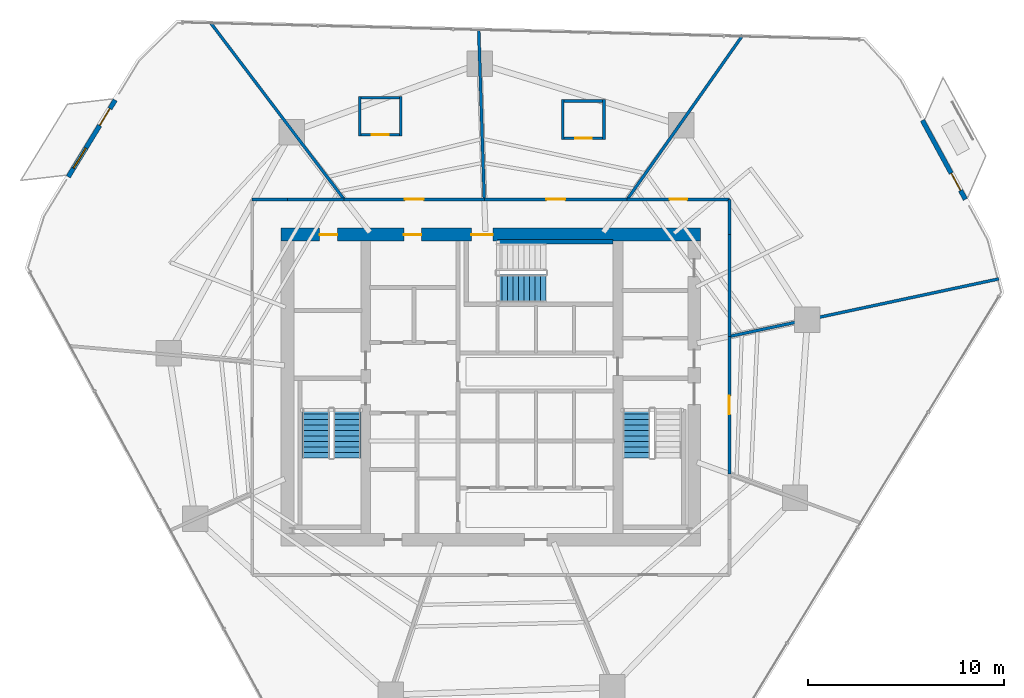
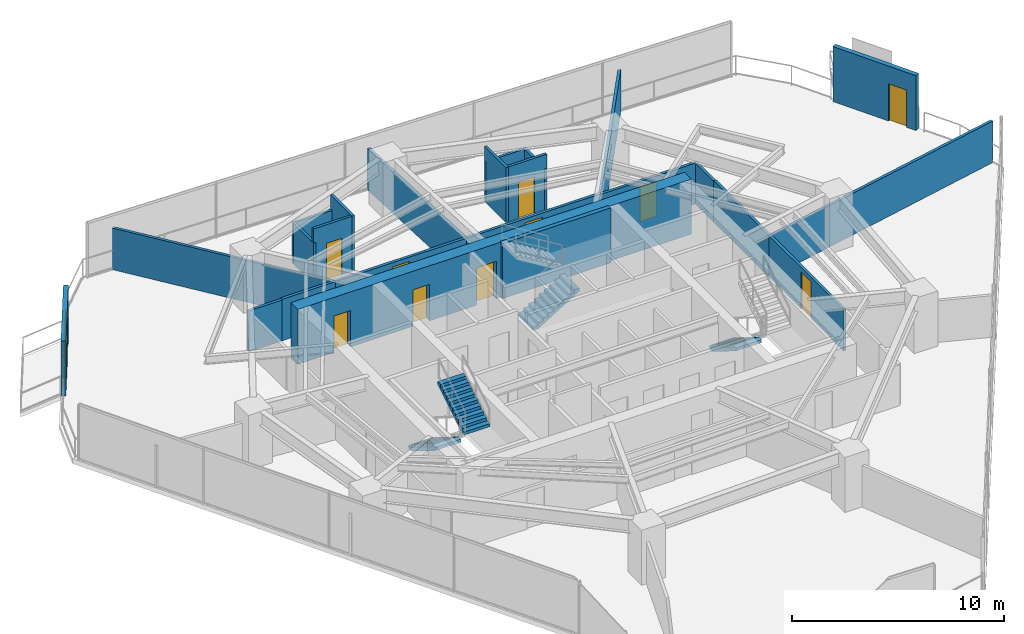
# One storey, part 25 of 30: 24 walls, 11 doors, 4 stair flights, 1 window, 12 openings, 3 elements without a shape of their own.
"""IFC4 building model written with IfcOpenShell, lengths in metres."""

from ifc_helpers import new_model, si_unit, direction, frame, frame_2d, origin, place, context, subcontext, project, spatial, polyline, rectangle, outline, extrude, material, layer, layer_set, type_object, element, fill, aggregate, save


model = new_model("IFC4")

# Units and contexts
model_context = context("Model", 3, precision=1e-05, world=origin(), true_north=direction((0.0, 1.0)))
body_context = subcontext(model_context, "Body", "Model", "MODEL_VIEW")
ifc_project = project(units=[si_unit("LENGTHUNIT", "METRE"), si_unit("AREAUNIT", "SQUARE_METRE"), si_unit("VOLUMEUNIT", "CUBIC_METRE"), si_unit("PLANEANGLEUNIT", "RADIAN"), si_unit("MASSUNIT", "GRAM", prefix="KILO")], contexts=[model_context])

# Site, building, storey
site_placement = place(None, origin())
site = spatial("IfcSite", under=ifc_project, at=site_placement, CompositionType="ELEMENT")
building_placement = place(site_placement, origin())
building = spatial("IfcBuilding", under=site, at=building_placement, Name="Qarnah Convention Tower", CompositionType="ELEMENT")
storey_placement = place(building_placement, frame((0.0, 0.0, 61.5)))
storey = spatial("IfcBuildingStorey", under=building, at=storey_placement, Name="L15", CompositionType="ELEMENT", Elevation=61.5)

# Wall, openings, doors
ifc_material_1 = material(Name="Concrete C60/75", Category="concrete")
ifc_layer_1 = layer(ifc_material_1, 0.64990234375)
ifc_layer_set_1 = layer_set([ifc_layer_1], Name="Concrete C60/75")
wall_type_1 = type_object("IfcWallType", Name="WL-CORE-650", PredefinedType="SHEAR", material=ifc_layer_set_1)
wall_1_placement = place(storey_placement, frame((26.47509765625, 34.199951171875, 0.0), z_axis=(0.0, 0.0, 1.0), x_axis=(1.0, 0.0, 0.0)))
wall_1 = element("IfcWall", 1, at=wall_1_placement, inside=storey, type_object=wall_type_1, Name="L15 core north shear wall", PredefinedType="SHEAR", context=body_context, shape_type="SweptSolid", body=[
    extrude(rectangle(XDim=21.449951171875, YDim=0.64990234375, at=frame_2d((10.72509765625, 0.0))), origin(), (0.0, 0.0, 1.0), 3.169921875),
])
opening_1_placement = place(wall_1_placement, frame((9.72509765625, 0.0, 0.0)))
opening_1 = element("IfcOpeningElement", 2, at=opening_1_placement, cuts=wall_1, Name="Opening D-1503", PredefinedType="OPENING", context=body_context, shape_type="SweptSolid", body=[
    extrude(rectangle(XDim=1.10009765625, YDim=2.14990234375, at=frame_2d((0.550048828125, 1.074951171875))), frame((0.0, 0.3349609375, 0.0), z_axis=(0.0, -1.0, 0.0), x_axis=(1.0, 0.0, 0.0)), (0.0, 0.0, 1.0), 0.669921875),
])
opening_2_placement = place(wall_1_placement, frame((1.97509765625, 0.0, 0.0)))
opening_2 = element("IfcOpeningElement", 3, at=opening_2_placement, cuts=wall_1, Name="Opening D-1509", PredefinedType="OPENING", context=body_context, shape_type="SweptSolid", body=[
    extrude(rectangle(XDim=0.89990234375, YDim=2.10009765625, at=frame_2d((0.449951171875, 1.050048828125))), frame((0.0, 0.3349609375, 0.0), z_axis=(0.0, -1.0, 0.0), x_axis=(1.0, 0.0, 0.0)), (0.0, 0.0, 1.0), 0.669921875),
])
opening_3_placement = place(wall_1_placement, frame((6.27490234375, 0.0, 0.0)))
opening_3 = element("IfcOpeningElement", 4, at=opening_3_placement, cuts=wall_1, Name="Opening D-1510", PredefinedType="OPENING", context=body_context, shape_type="SweptSolid", body=[
    extrude(rectangle(XDim=0.89990234375, YDim=2.10009765625, at=frame_2d((0.449951171875, 1.050048828125))), frame((0.0, 0.3349609375, 0.0), z_axis=(0.0, -1.0, 0.0), x_axis=(1.0, 0.0, 0.0)), (0.0, 0.0, 1.0), 0.669921875),
])
ifc_material_2 = material(Name="Structural steel S355JR", Category="steel")
door_type_1 = type_object("IfcDoorType", Name="DT-RISER-900", OperationType="NOTDEFINED", PredefinedType="DOOR", material=ifc_material_2)
door_1_placement = place(opening_2_placement, origin())
door_1 = element("IfcDoor", 5, at=door_1_placement, inside=storey, type_object=door_type_1, Name="Door D-1509", OperationType="SINGLE_SWING_LEFT", OverallHeight=2.10009765625, OverallWidth=0.89990234375, PredefinedType="DOOR", context=body_context, shape_type="SweptSolid", body=[
    extrude(rectangle(XDim=0.89990234375, YDim=2.10009765625, at=frame_2d((0.449951171875, 1.050048828125))), frame((0.0, 0.02490234375, 0.0), z_axis=(0.0, -1.0, 0.0), x_axis=(1.0, 0.0, 0.0)), (0.0, 0.0, 1.0), 0.050048828125),
])
fill(opening_2, door_1)
door_2_placement = place(opening_3_placement, origin())
door_2 = element("IfcDoor", 6, at=door_2_placement, inside=storey, type_object=door_type_1, Name="Door D-1510", OperationType="SINGLE_SWING_RIGHT", OverallHeight=2.10009765625, OverallWidth=0.89990234375, PredefinedType="DOOR", context=body_context, shape_type="SweptSolid", body=[
    extrude(rectangle(XDim=0.89990234375, YDim=2.10009765625, at=frame_2d((0.449951171875, 1.050048828125))), frame((0.0, 0.02490234375, 0.0), z_axis=(0.0, -1.0, 0.0), x_axis=(1.0, 0.0, 0.0)), (0.0, 0.0, 1.0), 0.050048828125),
])
fill(opening_3, door_2)
door_type_2 = type_object("IfcDoorType", Name="DT-STAIR-1100", OperationType="NOTDEFINED", PredefinedType="DOOR", material=ifc_material_2)
door_3_placement = place(opening_1_placement, origin())
door_3 = element("IfcDoor", 7, at=door_3_placement, inside=storey, type_object=door_type_2, Name="Door D-1503", OperationType="SINGLE_SWING_LEFT", OverallHeight=2.14990234375, OverallWidth=1.10009765625, PredefinedType="DOOR", context=body_context, shape_type="SweptSolid", body=[
    extrude(rectangle(XDim=1.10009765625, YDim=2.14990234375, at=frame_2d((0.550048828125, 1.074951171875))), frame((0.0, 0.02490234375, 0.0), z_axis=(0.0, -1.0, 0.0), x_axis=(1.0, 0.0, 0.0)), (0.0, 0.0, 1.0), 0.050048828125),
])
fill(opening_1, door_3)

# Wall
ifc_layer_2 = layer(ifc_material_1, 0.219970703125)
ifc_layer_set_2 = layer_set([ifc_layer_2], Name="Concrete C60/75")
wall_type_2 = type_object("IfcWallType", Name="WL-CORE-STAIR-220", PredefinedType="SHEAR", material=ifc_layer_set_2)
wall_2_placement = place(storey_placement, frame((37.550048828125, 33.840087890625, 0.0), z_axis=(0.0, 0.0, 1.0), x_axis=(1.0, 0.0, 0.0)))
element("IfcWall", 8, at=wall_2_placement, inside=storey, type_object=wall_type_2, Name="L15 stair shaft shear wall SW-L15-ST3N", PredefinedType="SHEAR", context=body_context, shape_type="SweptSolid", body=[
    extrude(rectangle(XDim=5.89990234375, YDim=0.219970703125, at=frame_2d((2.949951171875, 0.0))), origin(), (0.0, 0.0, 1.0), 3.169921875),
])

# Wall, opening, door
ifc_material_3 = material(Name="Precast concrete C45/55", Category="concrete")
ifc_layer_3 = layer(ifc_material_3, 0.239990234375)
ifc_layer_set_3 = layer_set([ifc_layer_3], Name="Precast concrete C45/55")
wall_type_3 = type_object("IfcWallType", Name="WL-EXT-BAL-240", PredefinedType="SOLIDWALL", material=ifc_layer_set_3)
wall_3_placement = place(storey_placement, frame((59.26806640625, 40.0419921875, 0.0), z_axis=(0.0, 0.0, 1.0), x_axis=(0.4780672743, -0.878323221396, 0.0)))
wall_3 = element("IfcWall", 9, at=wall_3_placement, inside=storey, type_object=wall_type_3, Name="L15 loggia threshold wall BAL-L15-C1", PredefinedType="SOLIDWALL", context=body_context, shape_type="SweptSolid", body=[
    extrude(rectangle(XDim=4.599609375, YDim=0.239990234375, at=frame_2d((2.2998046875, 0.0))), origin(), (0.0, 0.0, 1.0), 3.169921875),
])
opening_4_placement = place(wall_3_placement, frame((3.080078125, 0.0, 0.0)))
opening_4 = element("IfcOpeningElement", 10, at=opening_4_placement, cuts=wall_3, Name="Opening BD-1501", PredefinedType="OPENING", context=body_context, shape_type="SweptSolid", body=[
    extrude(rectangle(XDim=1.0, YDim=2.14990234375, at=frame_2d((0.5, 1.074951171875))), frame((0.0, 0.1298828125, 0.0), z_axis=(0.0, -1.0, 0.0), x_axis=(1.0, 0.0, 0.0)), (0.0, 0.0, 1.0), 0.260009765625),
])
ifc_material_4 = material(Name="Black anodised aluminium", Category="aluminium")
door_type_3 = type_object("IfcDoorType", Name="DT-BAL-1000", OperationType="NOTDEFINED", PredefinedType="DOOR", material=ifc_material_4)
door_4_placement = place(opening_4_placement, origin())
door_4 = element("IfcDoor", 11, at=door_4_placement, inside=storey, type_object=door_type_3, Name="L15 balcony terrace door BAL-L15-C1", OperationType="SINGLE_SWING_RIGHT", OverallHeight=2.14990234375, OverallWidth=1.0, PredefinedType="DOOR", context=body_context, shape_type="SweptSolid", body=[
    extrude(rectangle(XDim=1.0, YDim=2.14990234375, at=frame_2d((0.5, 1.074951171875))), frame((0.0, 0.02490234375, 0.0), z_axis=(0.0, -1.0, 0.0), x_axis=(1.0, 0.0, 0.0)), (0.0, 0.0, 1.0), 0.050048828125),
])
fill(opening_4, door_4)

# Wall, openings, door, window
wall_4_placement = place(storey_placement, frame((15.593017578125, 37.155029296875, 0.0), z_axis=(0.0, 0.0, 1.0), x_axis=(0.521495090942, 0.853254282218, 0.0)))
wall_4 = element("IfcWall", 12, at=wall_4_placement, inside=storey, type_object=wall_type_3, Name="L15 loggia threshold wall BAL-L15-C2", PredefinedType="SOLIDWALL", context=body_context, shape_type="SweptSolid", body=[
    extrude(rectangle(XDim=4.60009765625, YDim=0.239990234375, at=frame_2d((2.300048828125, 0.0))), origin(), (0.0, 0.0, 1.0), 3.169921875),
])
opening_5_placement = place(wall_4_placement, frame((3.080078125, 0.0, 0.0)))
opening_5 = element("IfcOpeningElement", 13, at=opening_5_placement, cuts=wall_4, Name="Opening BD-1502", PredefinedType="OPENING", context=body_context, shape_type="SweptSolid", body=[
    extrude(rectangle(XDim=1.0, YDim=2.14990234375, at=frame_2d((0.5, 1.074951171875))), frame((0.0, 0.1298828125, 0.0), z_axis=(0.0, -1.0, 0.0), x_axis=(1.0, 0.0, 0.0)), (0.0, 0.0, 1.0), 0.260009765625),
])
opening_6_placement = place(wall_4_placement, frame((0.52001953125, 0.0, 0.199951171875)))
opening_6 = element("IfcOpeningElement", 14, at=opening_6_placement, cuts=wall_4, Name="Opening WN5", PredefinedType="OPENING", context=body_context, shape_type="SweptSolid", body=[
    extrude(rectangle(XDim=1.199951171875, YDim=1.800048828125, at=frame_2d((0.60009765625, 0.89990234375))), frame((0.0, 0.1298828125, 0.0), z_axis=(0.0, -1.0, 0.0), x_axis=(1.0, 0.0, 0.0)), (0.0, 0.0, 1.0), 0.260009765625),
])
door_5_placement = place(opening_5_placement, origin())
door_5 = element("IfcDoor", 15, at=door_5_placement, inside=storey, type_object=door_type_3, Name="L15 balcony terrace door BAL-L15-C2", OperationType="SINGLE_SWING_LEFT", OverallHeight=2.14990234375, OverallWidth=1.0, PredefinedType="DOOR", context=body_context, shape_type="SweptSolid", body=[
    extrude(rectangle(XDim=1.0, YDim=2.14990234375, at=frame_2d((0.5, 1.074951171875))), frame((0.0, 0.02490234375, 0.0), z_axis=(0.0, -1.0, 0.0), x_axis=(1.0, 0.0, 0.0)), (0.0, 0.0, 1.0), 0.050048828125),
])
fill(opening_5, door_5)
ifc_material_5 = material(Name="Tempered Low-E dark glass", Category="glass")
window_type = type_object("IfcWindowType", Name="WT-BAL-1200X1800", PartitioningType="SINGLE_PANEL", PredefinedType="WINDOW", material=ifc_material_5)
window_placement = place(opening_6_placement, origin())
window = element("IfcWindow", 16, at=window_placement, inside=storey, type_object=window_type, Name="Window BW-BAL-L15-C2", OverallHeight=1.800048828125, OverallWidth=1.199951171875, PartitioningType="SINGLE_PANEL", PredefinedType="WINDOW", context=body_context, shape_type="SweptSolid", body=[
    extrude(rectangle(XDim=1.199951171875, YDim=1.800048828125, at=frame_2d((0.60009765625, 0.89990234375))), frame((0.0, 0.030029296875, 0.0), z_axis=(0.0, -1.0, 0.0), x_axis=(1.0, 0.0, 0.0)), (0.0, 0.0, 1.0), 0.06005859375),
])
fill(opening_6, window)

# Wall
ifc_material_6 = material(Name="Gypsum partition board")
ifc_layer_4 = layer(ifc_material_6, 0.14990234375)
ifc_layer_set_4 = layer_set([ifc_layer_4], Name="Gypsum partition board")
wall_type_4 = type_object("IfcWallType", Name="WL-SUITE-150", PredefinedType="PARTITIONING", material=ifc_layer_set_4)
wall_5_placement = place(storey_placement, frame((50.06689453125, 44.37890625, 0.0), z_axis=(0.0, 0.0, 1.0), x_axis=(-0.575204663382, -0.818009532477, 0.0)))
element("IfcWall", 17, at=wall_5_placement, inside=storey, type_object=wall_type_4, Name="L15 interior wall IW-L15-R-09", PredefinedType="PARTITIONING", context=body_context, shape_type="SweptSolid", body=[
    extrude(rectangle(XDim=10.2431640625, YDim=0.14990234375, at=frame_2d((5.12158203125, 0.0))), origin(), (0.0, 0.0, 1.0), 2.39501953125),
])

# Wall, opening, door
wall_6_placement = place(storey_placement, frame((44.175048828125, 36.0, 0.0), z_axis=(0.0, 0.0, 1.0), x_axis=(1.0, 0.0, 0.0)))
wall_6 = element("IfcWall", 18, at=wall_6_placement, inside=storey, type_object=wall_type_4, Name="L15 interior wall IW-L15-R-10", PredefinedType="PARTITIONING", context=body_context, shape_type="SweptSolid", body=[
    extrude(rectangle(XDim=5.224853515625, YDim=0.14990234375, at=frame_2d((2.6123046875, 0.0))), origin(), (0.0, 0.0, 1.0), 2.35498046875),
])
opening_7_placement = place(wall_6_placement, frame((2.1630859375, 0.0, 0.0)))
opening_7 = element("IfcOpeningElement", 19, at=opening_7_placement, cuts=wall_6, Name="Opening D-1516", PredefinedType="OPENING", context=body_context, shape_type="SweptSolid", body=[
    extrude(rectangle(XDim=0.89990234375, YDim=2.0, at=frame_2d((0.449951171875, 1.0))), frame((0.0, 0.0849609375, 0.0), z_axis=(0.0, -1.0, 0.0), x_axis=(1.0, 0.0, 0.0)), (0.0, 0.0, 1.0), 0.169921875),
])
door_type_4 = type_object("IfcDoorType", Name="DT-PLANT-900", OperationType="NOTDEFINED", PredefinedType="DOOR", material=ifc_material_2)
door_6_placement = place(opening_7_placement, origin())
door_6 = element("IfcDoor", 20, at=door_6_placement, inside=storey, type_object=door_type_4, Name="Door D-1516", OperationType="SINGLE_SWING_RIGHT", OverallHeight=2.0, OverallWidth=0.89990234375, PredefinedType="DOOR", context=body_context, shape_type="SweptSolid", body=[
    extrude(rectangle(XDim=0.89990234375, YDim=2.0, at=frame_2d((0.449951171875, 1.0))), frame((0.0, 0.02490234375, 0.0), z_axis=(0.0, -1.0, 0.0), x_axis=(1.0, 0.0, 0.0)), (0.0, 0.0, 1.0), 0.050048828125),
])
fill(opening_7, door_6)

# Walls
wall_7_placement = place(storey_placement, frame((49.39990234375, 36.0, 0.0), z_axis=(0.0, 0.0, 1.0), x_axis=(0.0, -1.0, 0.0)))
element("IfcWall", 21, at=wall_7_placement, inside=storey, type_object=wall_type_4, Name="L15 interior wall IW-L15-R-11", PredefinedType="PARTITIONING", context=body_context, shape_type="SweptSolid", body=[
    extrude(rectangle(XDim=1.800048828125, YDim=0.14990234375, at=frame_2d((0.89990234375, 0.0))), origin(), (0.0, 0.0, 1.0), 2.35498046875),
])
wall_8_placement = place(storey_placement, frame((49.39990234375, 34.199951171875, 0.0), z_axis=(0.0, 0.0, 1.0), x_axis=(0.0, -1.0, 0.0)))
element("IfcWall", 22, at=wall_8_placement, inside=storey, type_object=wall_type_4, Name="L15 interior wall IW-L15-R-12", PredefinedType="PARTITIONING", context=body_context, shape_type="SweptSolid", body=[
    extrude(rectangle(XDim=5.20703125, YDim=0.14990234375, at=frame_2d((2.603515625, 0.0))), origin(), (0.0, 0.0, 1.0), 2.39501953125),
])
wall_9_placement = place(storey_placement, frame((49.39990234375, 28.992919921875, 0.0), z_axis=(0.0, 0.0, 1.0), x_axis=(0.977960147877, 0.208791640553, 0.0)))
element("IfcWall", 23, at=wall_9_placement, inside=storey, type_object=wall_type_4, Name="L15 interior wall IW-L15-R-13", PredefinedType="PARTITIONING", context=body_context, shape_type="SweptSolid", body=[
    extrude(rectangle(XDim=14.086669921875, YDim=0.14990234375, at=frame_2d((7.04345703125, 0.0))), origin(), (0.0, 0.0, 1.0), 2.39501953125),
])
wall_10_placement = place(storey_placement, frame((36.577880859375, 44.705078125, 0.0), z_axis=(0.0, 0.0, 1.0), x_axis=(0.032963902133, -0.999456542905, 0.0)))
element("IfcWall", 24, at=wall_10_placement, inside=storey, type_object=wall_type_4, Name="L15 interior wall IW-L15-R-14", PredefinedType="PARTITIONING", context=body_context, shape_type="SweptSolid", body=[
    extrude(rectangle(XDim=8.709716796875, YDim=0.14990234375, at=frame_2d((4.35498046875, 0.0))), origin(), (0.0, 0.0, 1.0), 2.39501953125),
])

# Wall, opening, door
wall_11_placement = place(storey_placement, frame((36.864990234375, 36.0, 0.0), z_axis=(0.0, 0.0, 1.0), x_axis=(1.0, 0.0, 0.0)))
wall_11 = element("IfcWall", 25, at=wall_11_placement, inside=storey, type_object=wall_type_4, Name="L15 interior wall IW-L15-R-15", PredefinedType="PARTITIONING", context=body_context, shape_type="SweptSolid", body=[
    extrude(rectangle(XDim=7.31005859375, YDim=0.14990234375, at=frame_2d((3.655029296875, 0.0))), origin(), (0.0, 0.0, 1.0), 2.39501953125),
])
opening_8_placement = place(wall_11_placement, frame((3.179931640625, 0.0, 0.0)))
opening_8 = element("IfcOpeningElement", 26, at=opening_8_placement, cuts=wall_11, Name="Opening D-1517", PredefinedType="OPENING", context=body_context, shape_type="SweptSolid", body=[
    extrude(rectangle(XDim=0.949951171875, YDim=2.14990234375, at=frame_2d((0.47509765625, 1.074951171875))), frame((0.0, 0.0849609375, 0.0), z_axis=(0.0, -1.0, 0.0), x_axis=(1.0, 0.0, 0.0)), (0.0, 0.0, 1.0), 0.169921875),
])
ifc_material_7 = material(Name="Oak timber veneer", Category="wood")
door_type_5 = type_object("IfcDoorType", Name="DT-HOTEL-950", OperationType="NOTDEFINED", PredefinedType="DOOR", material=ifc_material_7)
door_7_placement = place(opening_8_placement, origin())
door_7 = element("IfcDoor", 27, at=door_7_placement, inside=storey, type_object=door_type_5, Name="Door D-1517", OperationType="SINGLE_SWING_LEFT", OverallHeight=2.14990234375, OverallWidth=0.949951171875, PredefinedType="DOOR", context=body_context, shape_type="SweptSolid", body=[
    extrude(rectangle(XDim=0.949951171875, YDim=2.14990234375, at=frame_2d((0.47509765625, 1.074951171875))), frame((0.0, 0.02490234375, 0.0), z_axis=(0.0, -1.0, 0.0), x_axis=(1.0, 0.0, 0.0)), (0.0, 0.0, 1.0), 0.050048828125),
])
fill(opening_8, door_7)

# Wall
wall_12_placement = place(storey_placement, frame((22.840087890625, 45.068115234375, 0.0), z_axis=(0.0, 0.0, 1.0), x_axis=(0.603303181673, -0.797511925292, 0.0)))
element("IfcWall", 28, at=wall_12_placement, inside=storey, type_object=wall_type_4, Name="L15 interior wall IW-L15-R-16", PredefinedType="PARTITIONING", context=body_context, shape_type="SweptSolid", body=[
    extrude(rectangle(XDim=11.37060546875, YDim=0.14990234375, at=frame_2d((5.685302734375, 0.0))), origin(), (0.0, 0.0, 1.0), 2.39501953125),
])

# Wall, opening, door
wall_13_placement = place(storey_placement, frame((29.699951171875, 36.0, 0.0), z_axis=(0.0, 0.0, 1.0), x_axis=(1.0, 0.0, 0.0)))
wall_13 = element("IfcWall", 29, at=wall_13_placement, inside=storey, type_object=wall_type_4, Name="L15 interior wall IW-L15-R-17", PredefinedType="PARTITIONING", context=body_context, shape_type="SweptSolid", body=[
    extrude(rectangle(XDim=7.1650390625, YDim=0.14990234375, at=frame_2d((3.58251953125, 0.0))), origin(), (0.0, 0.0, 1.0), 2.39501953125),
])
opening_9_placement = place(wall_13_placement, frame((3.10791015625, 0.0, 0.0)))
opening_9 = element("IfcOpeningElement", 30, at=opening_9_placement, cuts=wall_13, Name="Opening D-1519", PredefinedType="OPENING", context=body_context, shape_type="SweptSolid", body=[
    extrude(rectangle(XDim=0.949951171875, YDim=2.14990234375, at=frame_2d((0.47509765625, 1.074951171875))), frame((0.0, 0.0849609375, 0.0), z_axis=(0.0, -1.0, 0.0), x_axis=(1.0, 0.0, 0.0)), (0.0, 0.0, 1.0), 0.169921875),
])
door_8_placement = place(opening_9_placement, origin())
door_8 = element("IfcDoor", 31, at=door_8_placement, inside=storey, type_object=door_type_5, Name="Door D-1519", OperationType="SINGLE_SWING_LEFT", OverallHeight=2.14990234375, OverallWidth=0.949951171875, PredefinedType="DOOR", context=body_context, shape_type="SweptSolid", body=[
    extrude(rectangle(XDim=0.949951171875, YDim=2.14990234375, at=frame_2d((0.47509765625, 1.074951171875))), frame((0.0, 0.02490234375, 0.0), z_axis=(0.0, -1.0, 0.0), x_axis=(1.0, 0.0, 0.0)), (0.0, 0.0, 1.0), 0.050048828125),
])
fill(opening_9, door_8)

# Walls
wall_14_placement = place(storey_placement, frame((25.0, 36.0, 0.0), z_axis=(0.0, 0.0, 1.0), x_axis=(1.0, 0.0, 0.0)))
element("IfcWall", 32, at=wall_14_placement, inside=storey, type_object=wall_type_4, Name="L15 interior wall IW-L15-R-20", PredefinedType="PARTITIONING", context=body_context, shape_type="SweptSolid", body=[
    extrude(rectangle(XDim=1.800048828125, YDim=0.14990234375, at=frame_2d((0.89990234375, 0.0))), origin(), (0.0, 0.0, 1.0), 2.35498046875),
])
wall_15_placement = place(storey_placement, frame((26.800048828125, 36.0, 0.0), z_axis=(0.0, 0.0, 1.0), x_axis=(1.0, 0.0, 0.0)))
element("IfcWall", 33, at=wall_15_placement, inside=storey, type_object=wall_type_4, Name="L15 interior wall IW-L15-R-21", PredefinedType="PARTITIONING", context=body_context, shape_type="SweptSolid", body=[
    extrude(rectangle(XDim=2.89990234375, YDim=0.14990234375, at=frame_2d((1.449951171875, 0.0))), origin(), (0.0, 0.0, 1.0), 2.39501953125),
])

# Wall, opening, door
wall_16_placement = place(storey_placement, frame((49.39990234375, 28.992919921875, 0.0), z_axis=(0.0, 0.0, 1.0), x_axis=(0.0, -1.0, 0.0)))
wall_16 = element("IfcWall", 34, at=wall_16_placement, inside=storey, type_object=wall_type_4, Name="L15 interior wall IW-L15-R-34", PredefinedType="PARTITIONING", context=body_context, shape_type="SweptSolid", body=[
    extrude(rectangle(XDim=7.032958984375, YDim=0.14990234375, at=frame_2d((3.5166015625, 0.0))), origin(), (0.0, 0.0, 1.0), 2.39501953125),
])
opening_10_placement = place(wall_16_placement, frame((3.041015625, 0.0, 0.0)))
opening_10 = element("IfcOpeningElement", 35, at=opening_10_placement, cuts=wall_16, Name="Opening D-1526", PredefinedType="OPENING", context=body_context, shape_type="SweptSolid", body=[
    extrude(rectangle(XDim=0.949951171875, YDim=2.14990234375, at=frame_2d((0.47509765625, 1.074951171875))), frame((0.0, 0.0849609375, 0.0), z_axis=(0.0, -1.0, 0.0), x_axis=(1.0, 0.0, 0.0)), (0.0, 0.0, 1.0), 0.169921875),
])
door_9_placement = place(opening_10_placement, origin())
door_9 = element("IfcDoor", 36, at=door_9_placement, inside=storey, type_object=door_type_5, Name="Door D-1526", OperationType="SINGLE_SWING_RIGHT", OverallHeight=2.14990234375, OverallWidth=0.949951171875, PredefinedType="DOOR", context=body_context, shape_type="SweptSolid", body=[
    extrude(rectangle(XDim=0.949951171875, YDim=2.14990234375, at=frame_2d((0.47509765625, 1.074951171875))), frame((0.0, 0.02490234375, 0.0), z_axis=(0.0, -1.0, 0.0), x_axis=(1.0, 0.0, 0.0)), (0.0, 0.0, 1.0), 0.050048828125),
])
fill(opening_10, door_9)

ifc_layer_5 = layer(ifc_material_6, 0.139892578125)
ifc_layer_set_5 = layer_set([ifc_layer_5], Name="Gypsum partition board")
wall_type_5 = type_object("IfcWallType", Name="WL-WET-140", PredefinedType="PARTITIONING", material=ifc_layer_set_5)
wall_17_placement = place(storey_placement, frame((40.81103515625, 39.132080078125, 0.0), z_axis=(0.0, 0.0, 1.0), x_axis=(1.0, 0.0, 0.0)))
wall_17 = element("IfcWall", 37, at=wall_17_placement, inside=storey, type_object=wall_type_5, Name="L15 interior wall IW-L15-ENS01-1", PredefinedType="PARTITIONING", context=body_context, shape_type="SweptSolid", body=[
    extrude(rectangle(XDim=2.239990234375, YDim=0.139892578125, at=frame_2d((1.1201171875, 0.0))), origin(), (0.0, 0.0, 1.0), 3.169921875),
])
opening_11_placement = place(wall_17_placement, frame((0.695068359375, 0.0, 0.0)))
opening_11 = element("IfcOpeningElement", 38, at=opening_11_placement, cuts=wall_17, Name="Opening D-1518", PredefinedType="OPENING", context=body_context, shape_type="SweptSolid", body=[
    extrude(rectangle(XDim=0.85009765625, YDim=2.10009765625, at=frame_2d((0.425048828125, 1.050048828125))), frame((0.0, 0.079833984375, 0.0), z_axis=(0.0, -1.0, 0.0), x_axis=(1.0, 0.0, 0.0)), (0.0, 0.0, 1.0), 0.159912109375),
])
door_type_6 = type_object("IfcDoorType", Name="DT-BATH-850", OperationType="NOTDEFINED", PredefinedType="DOOR", material=ifc_material_7)
door_10_placement = place(opening_11_placement, origin())
door_10 = element("IfcDoor", 39, at=door_10_placement, inside=storey, type_object=door_type_6, Name="Door D-1518", OperationType="SINGLE_SWING_RIGHT", OverallHeight=2.10009765625, OverallWidth=0.85009765625, PredefinedType="DOOR", context=body_context, shape_type="SweptSolid", body=[
    extrude(rectangle(XDim=0.85009765625, YDim=2.10009765625, at=frame_2d((0.425048828125, 1.050048828125))), frame((0.0, 0.02490234375, 0.0), z_axis=(0.0, -1.0, 0.0), x_axis=(1.0, 0.0, 0.0)), (0.0, 0.0, 1.0), 0.050048828125),
])
fill(opening_11, door_10)

# Walls
wall_18_placement = place(storey_placement, frame((42.98095703125, 39.06201171875, 0.0), z_axis=(0.0, 0.0, 1.0), x_axis=(0.0, 1.0, 0.0)))
element("IfcWall", 40, at=wall_18_placement, inside=storey, type_object=wall_type_5, Name="L15 interior wall IW-L15-ENS01-2", PredefinedType="PARTITIONING", context=body_context, shape_type="SweptSolid", body=[
    extrude(rectangle(XDim=2.0400390625, YDim=0.139892578125, at=frame_2d((1.02001953125, 0.0))), origin(), (0.0, 0.0, 1.0), 2.35498046875),
])
wall_19_placement = place(storey_placement, frame((43.051025390625, 41.031982421875, 0.0), z_axis=(0.0, 0.0, 1.0), x_axis=(-1.0, 0.0, 0.0)))
element("IfcWall", 41, at=wall_19_placement, inside=storey, type_object=wall_type_5, Name="L15 interior wall IW-L15-ENS01-3", PredefinedType="PARTITIONING", context=body_context, shape_type="SweptSolid", body=[
    extrude(rectangle(XDim=2.239990234375, YDim=0.139892578125, at=frame_2d((1.1201171875, 0.0))), origin(), (0.0, 0.0, 1.0), 2.35498046875),
])
wall_20_placement = place(storey_placement, frame((40.881103515625, 41.10205078125, 0.0), z_axis=(0.0, 0.0, 1.0), x_axis=(0.0, -1.0, 0.0)))
element("IfcWall", 42, at=wall_20_placement, inside=storey, type_object=wall_type_5, Name="L15 interior wall IW-L15-ENS01-4", PredefinedType="PARTITIONING", context=body_context, shape_type="SweptSolid", body=[
    extrude(rectangle(XDim=2.0400390625, YDim=0.139892578125, at=frame_2d((1.02001953125, 0.0))), origin(), (0.0, 0.0, 1.0), 3.169921875),
])

# Wall, opening, door
wall_21_placement = place(storey_placement, frame((30.427001953125, 39.302001953125, 0.0), z_axis=(0.0, 0.0, 1.0), x_axis=(1.0, 0.0, 0.0)))
wall_21 = element("IfcWall", 43, at=wall_21_placement, inside=storey, type_object=wall_type_5, Name="L15 interior wall IW-L15-ENS02-1", PredefinedType="PARTITIONING", context=body_context, shape_type="SweptSolid", body=[
    extrude(rectangle(XDim=2.239990234375, YDim=0.139892578125, at=frame_2d((1.1201171875, 0.0))), origin(), (0.0, 0.0, 1.0), 3.169921875),
])
opening_12_placement = place(wall_21_placement, frame((0.695068359375, 0.0, 0.0)))
opening_12 = element("IfcOpeningElement", 44, at=opening_12_placement, cuts=wall_21, Name="Opening D-1520", PredefinedType="OPENING", context=body_context, shape_type="SweptSolid", body=[
    extrude(rectangle(XDim=0.85009765625, YDim=2.10009765625, at=frame_2d((0.425048828125, 1.050048828125))), frame((0.0, 0.079833984375, 0.0), z_axis=(0.0, -1.0, 0.0), x_axis=(1.0, 0.0, 0.0)), (0.0, 0.0, 1.0), 0.159912109375),
])
door_11_placement = place(opening_12_placement, origin())
door_11 = element("IfcDoor", 45, at=door_11_placement, inside=storey, type_object=door_type_6, Name="Door D-1520", OperationType="SINGLE_SWING_RIGHT", OverallHeight=2.10009765625, OverallWidth=0.85009765625, PredefinedType="DOOR", context=body_context, shape_type="SweptSolid", body=[
    extrude(rectangle(XDim=0.85009765625, YDim=2.10009765625, at=frame_2d((0.425048828125, 1.050048828125))), frame((0.0, 0.02490234375, 0.0), z_axis=(0.0, -1.0, 0.0), x_axis=(1.0, 0.0, 0.0)), (0.0, 0.0, 1.0), 0.050048828125),
])
fill(opening_12, door_11)

# Walls
wall_22_placement = place(storey_placement, frame((32.596923828125, 39.23193359375, 0.0), z_axis=(0.0, 0.0, 1.0), x_axis=(0.0, 1.0, 0.0)))
element("IfcWall", 46, at=wall_22_placement, inside=storey, type_object=wall_type_5, Name="L15 interior wall IW-L15-ENS02-2", PredefinedType="PARTITIONING", context=body_context, shape_type="SweptSolid", body=[
    extrude(rectangle(XDim=2.0400390625, YDim=0.139892578125, at=frame_2d((1.02001953125, 0.0))), origin(), (0.0, 0.0, 1.0), 3.169921875),
])
wall_23_placement = place(storey_placement, frame((32.6669921875, 41.201904296875, 0.0), z_axis=(0.0, 0.0, 1.0), x_axis=(-1.0, 0.0, 0.0)))
element("IfcWall", 47, at=wall_23_placement, inside=storey, type_object=wall_type_5, Name="L15 interior wall IW-L15-ENS02-3", PredefinedType="PARTITIONING", context=body_context, shape_type="SweptSolid", body=[
    extrude(rectangle(XDim=2.239990234375, YDim=0.139892578125, at=frame_2d((1.1201171875, 0.0))), origin(), (0.0, 0.0, 1.0), 2.35498046875),
])
wall_24_placement = place(storey_placement, frame((30.4970703125, 41.27197265625, 0.0), z_axis=(0.0, 0.0, 1.0), x_axis=(0.0, -1.0, 0.0)))
element("IfcWall", 48, at=wall_24_placement, inside=storey, type_object=wall_type_5, Name="L15 interior wall IW-L15-ENS02-4", PredefinedType="PARTITIONING", context=body_context, shape_type="SweptSolid", body=[
    extrude(rectangle(XDim=2.0400390625, YDim=0.139892578125, at=frame_2d((1.02001953125, 0.0))), origin(), (0.0, 0.0, 1.0), 2.35498046875),
])

# Stair, stair flights
ifc_material_8 = material(Name="Concrete C50/60", Category="concrete")
stair_type = type_object("IfcStairType", Name="STR-HTL", PredefinedType="HALF_TURN_STAIR", material=ifc_material_8)
stair_1_placement = place(storey_placement, origin())
stair_1 = element("IfcStair", 49, at=stair_1_placement, inside=storey, type_object=stair_type, Name="L15 Core exit stair ST-1", PredefinedType="HALF_TURN_STAIR")
stair_flight_type = type_object("IfcStairFlightType", Name="FLT-HTL", PredefinedType="STRAIGHT", material=ifc_material_8)
stair_flight_1_placement = place(storey_placement, frame((28.25, 25.300048828125, 0.0), z_axis=(0.0, 0.0, 1.0), x_axis=(0.0, -1.0, 0.0)))
stair_flight_1 = element("IfcStairFlight", 50, at=stair_flight_1_placement, type_object=stair_flight_type, Name="ST-1 flight 1", NumberOfRisers=10, NumberOfTreads=9, PredefinedType="STRAIGHT", RiserHeight=0.1725, TreadLength=0.28, context=body_context, shape_type="SweptSolid", body=[
    extrude(outline(polyline([(0.0, 0.0), (0.0, 0.172607421875), (0.280029296875, 0.172607421875), (0.280029296875, 0.344970703125), (0.56005859375, 0.344970703125), (0.56005859375, 0.517578125), (0.840087890625, 0.517578125), (0.840087890625, 0.68994140625), (1.1201171875, 0.68994140625), (1.1201171875, 0.862548828125), (1.39990234375, 0.862548828125), (1.39990234375, 1.034912109375), (1.679931640625, 1.034912109375), (1.679931640625, 1.20751953125), (1.9599609375, 1.20751953125), (1.9599609375, 1.3798828125), (2.239990234375, 1.3798828125), (2.239990234375, 1.552490234375), (2.52001953125, 1.552490234375), (2.52001953125, 1.72509765625), (2.52001953125, 1.37646484375), (0.285888671875, 0.0), (0.0, 0.0)])), frame((0.0, 0.699951171875, 0.0), z_axis=(0.0, -1.0, 0.0), x_axis=(1.0, 0.0, 0.0)), (0.0, 0.0, 1.0), 1.39990234375),
])
stair_flight_2_placement = place(storey_placement, frame((29.85009765625, 22.780029296875, 1.72509765625), z_axis=(0.0, 0.0, 1.0), x_axis=(0.0, 1.0, 0.0)))
stair_flight_2 = element("IfcStairFlight", 51, at=stair_flight_2_placement, type_object=stair_flight_type, Name="ST-1 flight 2", NumberOfRisers=10, NumberOfTreads=9, PredefinedType="STRAIGHT", RiserHeight=0.1725, TreadLength=0.28, context=body_context, shape_type="SweptSolid", body=[
    extrude(outline(polyline([(0.0, 0.0), (0.0, 0.172607421875), (0.280029296875, 0.172607421875), (0.280029296875, 0.344970703125), (0.56005859375, 0.344970703125), (0.56005859375, 0.517578125), (0.840087890625, 0.517578125), (0.840087890625, 0.68994140625), (1.1201171875, 0.68994140625), (1.1201171875, 0.862548828125), (1.39990234375, 0.862548828125), (1.39990234375, 1.034912109375), (1.679931640625, 1.034912109375), (1.679931640625, 1.20751953125), (1.9599609375, 1.20751953125), (1.9599609375, 1.3798828125), (2.239990234375, 1.3798828125), (2.239990234375, 1.552490234375), (2.52001953125, 1.552490234375), (2.52001953125, 1.72509765625), (2.52001953125, 1.37646484375), (0.285888671875, 0.0), (0.0, 0.0)])), frame((0.0, 0.699951171875, 0.0), z_axis=(0.0, -1.0, 0.0), x_axis=(1.0, 0.0, 0.0)), (0.0, 0.0, 1.0), 1.39990234375),
])
aggregate(stair_1, [stair_flight_1, stair_flight_2])

# Stair, stair flight
stair_2_placement = place(storey_placement, origin())
stair_2 = element("IfcStair", 52, at=stair_2_placement, inside=storey, type_object=stair_type, Name="L15 Core exit stair ST-2", PredefinedType="HALF_TURN_STAIR")
stair_flight_3_placement = place(storey_placement, frame((44.64990234375, 25.300048828125, 0.0), z_axis=(0.0, 0.0, 1.0), x_axis=(0.0, -1.0, 0.0)))
stair_flight_3 = element("IfcStairFlight", 53, at=stair_flight_3_placement, type_object=stair_flight_type, Name="ST-2 flight 1", NumberOfRisers=10, NumberOfTreads=9, PredefinedType="STRAIGHT", RiserHeight=0.1725, TreadLength=0.28, context=body_context, shape_type="SweptSolid", body=[
    extrude(outline(polyline([(0.0, 0.0), (0.0, 0.172607421875), (0.280029296875, 0.172607421875), (0.280029296875, 0.344970703125), (0.56005859375, 0.344970703125), (0.56005859375, 0.517578125), (0.840087890625, 0.517578125), (0.840087890625, 0.68994140625), (1.1201171875, 0.68994140625), (1.1201171875, 0.862548828125), (1.39990234375, 0.862548828125), (1.39990234375, 1.034912109375), (1.679931640625, 1.034912109375), (1.679931640625, 1.20751953125), (1.9599609375, 1.20751953125), (1.9599609375, 1.3798828125), (2.239990234375, 1.3798828125), (2.239990234375, 1.552490234375), (2.52001953125, 1.552490234375), (2.52001953125, 1.72509765625), (2.52001953125, 1.37646484375), (0.285888671875, 0.0), (0.0, 0.0)])), frame((0.0, 0.699951171875, 0.0), z_axis=(0.0, -1.0, 0.0), x_axis=(1.0, 0.0, 0.0)), (0.0, 0.0, 1.0), 1.39990234375),
])
aggregate(stair_2, [stair_flight_3])

stair_3_placement = place(storey_placement, origin())
stair_3 = element("IfcStair", 54, at=stair_3_placement, inside=storey, type_object=stair_type, Name="L15 Core exit stair ST-3", PredefinedType="HALF_TURN_STAIR")
stair_flight_4_placement = place(storey_placement, frame((37.5, 31.449951171875, 0.0), z_axis=(0.0, 0.0, 1.0), x_axis=(1.0, 0.0, 0.0)))
stair_flight_4 = element("IfcStairFlight", 55, at=stair_flight_4_placement, type_object=stair_flight_type, Name="ST-3 flight 1", NumberOfRisers=10, NumberOfTreads=9, PredefinedType="STRAIGHT", RiserHeight=0.1725, TreadLength=0.28, context=body_context, shape_type="SweptSolid", body=[
    extrude(outline(polyline([(0.0, 0.0), (0.0, 0.172607421875), (0.280029296875, 0.172607421875), (0.280029296875, 0.344970703125), (0.56005859375, 0.344970703125), (0.56005859375, 0.517578125), (0.840087890625, 0.517578125), (0.840087890625, 0.68994140625), (1.1201171875, 0.68994140625), (1.1201171875, 0.862548828125), (1.39990234375, 0.862548828125), (1.39990234375, 1.034912109375), (1.679931640625, 1.034912109375), (1.679931640625, 1.20751953125), (1.9599609375, 1.20751953125), (1.9599609375, 1.3798828125), (2.239990234375, 1.3798828125), (2.239990234375, 1.552490234375), (2.52001953125, 1.552490234375), (2.52001953125, 1.72509765625), (2.52001953125, 1.37646484375), (0.285888671875, 0.0), (0.0, 0.0)])), frame((0.0, 0.699951171875, 0.0), z_axis=(0.0, -1.0, 0.0), x_axis=(1.0, 0.0, 0.0)), (0.0, 0.0, 1.0), 1.39990234375),
])
aggregate(stair_3, [stair_flight_4])

save(model, "model.ifc")
